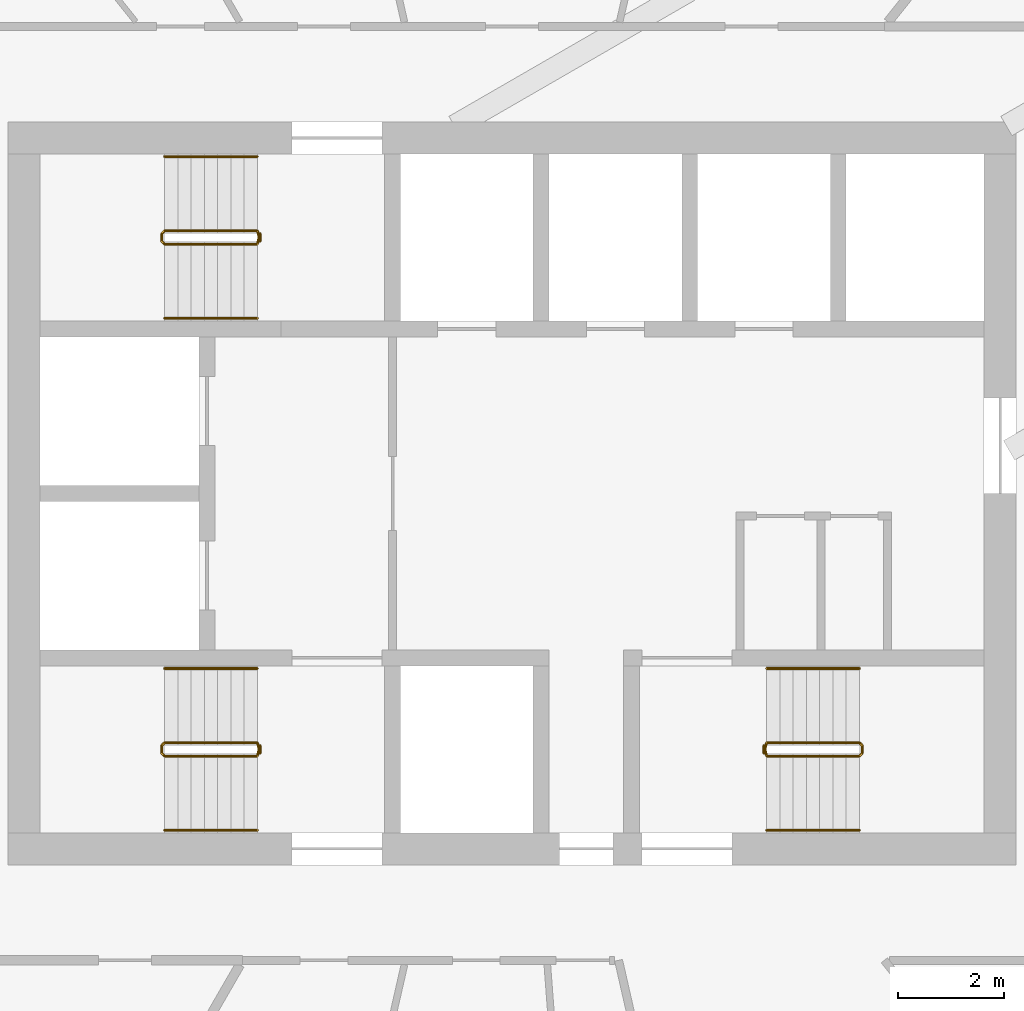
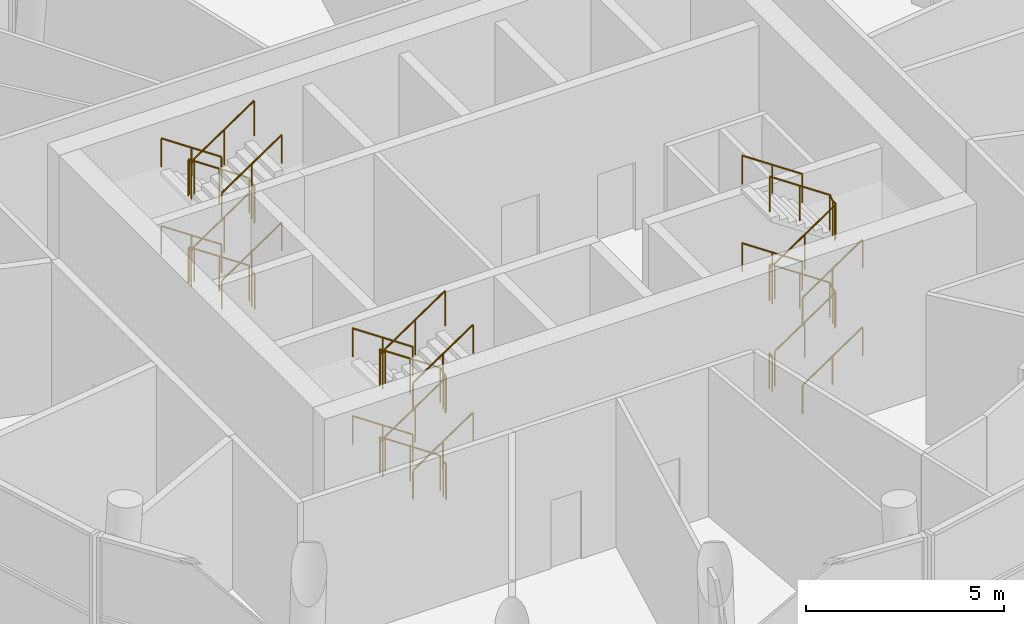
# One storey, part 9 of 10: 18 railings.
"""IFC4 building model written with IfcOpenShell, lengths in metres."""

from ifc_helpers import new_model, si_unit, direction, frame, origin, origin_2d, place, context, subcontext, project, spatial, circle, extrude, material, type_object, element, save


model = new_model("IFC4")

# Units and contexts
model_context = context("Model", 3, precision=1e-05, world=origin(), true_north=direction((0.0, 1.0)))
body_context = subcontext(model_context, "Body", "Model", "MODEL_VIEW")
ifc_project = project(units=[si_unit("LENGTHUNIT", "METRE"), si_unit("AREAUNIT", "SQUARE_METRE"), si_unit("VOLUMEUNIT", "CUBIC_METRE"), si_unit("PLANEANGLEUNIT", "RADIAN"), si_unit("MASSUNIT", "GRAM", prefix="KILO")], contexts=[model_context])

# Site, building, storey
site_placement = place(None, origin())
site = spatial("IfcSite", under=ifc_project, at=site_placement, CompositionType="ELEMENT")
building_placement = place(site_placement, origin())
building = spatial("IfcBuilding", under=site, at=building_placement, Name="Tracery Tower", CompositionType="ELEMENT")
storey_placement = place(building_placement, frame((0.0, 0.0, 341.39990234375)))
storey = spatial("IfcBuildingStorey", under=building, at=storey_placement, Name="L88", CompositionType="ELEMENT", Elevation=341.39990234375)

# Railings
ifc_material_1 = material(Name="Stainless steel and laminated glass", Category="steel")
railing_type_1 = type_object("IfcRailingType", Name="Stair guard 1100", PredefinedType="GUARDRAIL", material=ifc_material_1)
railing_1_placement = place(storey_placement, frame((-4.800048828125, -4.699951171875, 0.1689453125)))
element("IfcRailing", 1, at=railing_1_placement, inside=storey, type_object=railing_type_1, Name="L88 stair ST1 guard 1", PredefinedType="GUARDRAIL", context=body_context, shape_type="SweptSolid", body=[
    extrude(circle(Radius=0.02392578125, at=origin_2d()), frame((0.0, 0.0, 1.076171875), z_axis=(-0.828870122254, 0.0, 0.559441078608), x_axis=(0.0, -1.0, 0.0)), (0.0, 0.0, 1.0), 2.111328125),
    extrude(circle(Radius=0.02392578125, at=origin_2d()), frame((-1.75, 0.0, 2.25732421875), z_axis=(-0.707106781187, -0.707106781187, 0.0), x_axis=(0.707106781187, -0.707106781187, 0.0)), (0.0, 0.0, 1.0), 0.07080078125),
    extrude(circle(Radius=0.02392578125, at=origin_2d()), frame((-1.800048828125, -0.050048828125, 2.25732421875), z_axis=(0.0, -1.0, 0.0), x_axis=(1.0, 0.0, 0.0)), (0.0, 0.0, 1.0), 0.14990234375),
    extrude(circle(Radius=0.02392578125, at=origin_2d()), frame((-1.800048828125, -0.199951171875, 2.25732421875), z_axis=(0.273569069059, -0.273569069059, 0.922127935218), x_axis=(0.707106781187, 0.707106781187, 0.0)), (0.0, 0.0, 1.0), 0.182861328125),
    extrude(circle(Radius=0.02392578125, at=origin_2d()), frame((-1.75, -0.25, 2.42578125), z_axis=(0.828816501605, 0.0, 0.559520514965), x_axis=(0.0, 1.0, 0.0)), (0.0, 0.0, 1.0), 2.111328125),
    extrude(circle(Radius=0.02392578125, at=origin_2d()), frame((0.0, -0.25, 3.607421875), z_axis=(0.242814311512, 0.970072785993, 0.0), x_axis=(-0.970072785993, 0.242814311512, 0.0)), (0.0, 0.0, 1.0), 0.2060546875),
    extrude(circle(Radius=0.02392578125, at=origin_2d()), frame((0.050048828125, -0.050048828125, 3.607421875), z_axis=(0.0, -1.0, 0.0), x_axis=(1.0, 0.0, 0.0)), (0.0, 0.0, 1.0), 0.14990234375),
    extrude(circle(Radius=0.02392578125, at=origin_2d()), frame((0.050048828125, -0.199951171875, 3.607421875), z_axis=(-0.187902113298, 0.750691857518, 0.633367611166), x_axis=(-0.970072785993, -0.242814311512, 0.0)), (0.0, 0.0, 1.0), 0.266357421875),
    extrude(circle(Radius=0.02392578125, at=origin_2d()), frame((0.0, 0.0, 3.77587890625), z_axis=(-0.828870122254, 0.0, 0.559441078608), x_axis=(0.0, -1.0, 0.0)), (0.0, 0.0, 1.0), 2.111328125),
    extrude(circle(Radius=0.02392578125, at=origin_2d()), frame((-1.75, 0.0, 4.95703125), z_axis=(-0.707106781187, -0.707106781187, 0.0), x_axis=(0.707106781187, -0.707106781187, 0.0)), (0.0, 0.0, 1.0), 0.07080078125),
    extrude(circle(Radius=0.02392578125, at=origin_2d()), frame((-1.800048828125, -0.050048828125, 4.95703125), z_axis=(0.0, -1.0, 0.0), x_axis=(1.0, 0.0, 0.0)), (0.0, 0.0, 1.0), 0.14990234375),
    extrude(circle(Radius=0.02392578125, at=origin_2d()), frame((-1.800048828125, -0.199951171875, 4.95703125), z_axis=(0.273569069059, -0.273569069059, 0.922127935218), x_axis=(0.707106781187, 0.707106781187, 0.0)), (0.0, 0.0, 1.0), 0.182861328125),
    extrude(circle(Radius=0.02392578125, at=origin_2d()), frame((-1.75, -0.25, 5.1259765625), z_axis=(0.828816501605, 0.0, 0.559520514965), x_axis=(0.0, 1.0, 0.0)), (0.0, 0.0, 1.0), 2.111328125),
    extrude(circle(Radius=0.02099609375, at=origin_2d()), origin(), (0.0, 0.0, 1.0), 1.052001953125),
    extrude(circle(Radius=0.02099609375, at=origin_2d()), frame((-0.875, 0.0, 0.590576171875)), (0.0, 0.0, 1.0), 1.052001953125),
    extrude(circle(Radius=0.02099609375, at=origin_2d()), frame((-1.75, 0.0, 1.18115234375)), (0.0, 0.0, 1.0), 1.052001953125),
    extrude(circle(Radius=0.02099609375, at=origin_2d()), frame((-1.800048828125, -0.050048828125, 1.18115234375)), (0.0, 0.0, 1.0), 1.052001953125),
    extrude(circle(Radius=0.02099609375, at=origin_2d()), frame((-1.800048828125, -0.199951171875, 1.18115234375)), (0.0, 0.0, 1.0), 1.052001953125),
    extrude(circle(Radius=0.02099609375, at=origin_2d()), frame((-1.75, -0.25, 1.349853515625)), (0.0, 0.0, 1.0), 1.052001953125),
    extrude(circle(Radius=0.02099609375, at=origin_2d()), frame((-0.875, -0.25, 1.9404296875)), (0.0, 0.0, 1.0), 1.052001953125),
    extrude(circle(Radius=0.02099609375, at=origin_2d()), frame((0.0, -0.25, 2.53125)), (0.0, 0.0, 1.0), 1.052001953125),
    extrude(circle(Radius=0.02099609375, at=origin_2d()), frame((0.050048828125, -0.050048828125, 2.53125)), (0.0, 0.0, 1.0), 1.052001953125),
    extrude(circle(Radius=0.02099609375, at=origin_2d()), frame((0.050048828125, -0.199951171875, 2.53125)), (0.0, 0.0, 1.0), 1.052001953125),
    extrude(circle(Radius=0.02099609375, at=origin_2d()), frame((0.0, 0.0, 2.699951171875)), (0.0, 0.0, 1.0), 1.052001953125),
    extrude(circle(Radius=0.02099609375, at=origin_2d()), frame((-0.875, 0.0, 3.29052734375)), (0.0, 0.0, 1.0), 1.052001953125),
    extrude(circle(Radius=0.02099609375, at=origin_2d()), frame((-1.75, 0.0, 3.881103515625)), (0.0, 0.0, 1.0), 1.052001953125),
    extrude(circle(Radius=0.02099609375, at=origin_2d()), frame((-1.800048828125, -0.050048828125, 3.881103515625)), (0.0, 0.0, 1.0), 1.052001953125),
    extrude(circle(Radius=0.02099609375, at=origin_2d()), frame((-1.800048828125, -0.199951171875, 3.881103515625)), (0.0, 0.0, 1.0), 1.052001953125),
    extrude(circle(Radius=0.02099609375, at=origin_2d()), frame((-1.75, -0.25, 4.0498046875)), (0.0, 0.0, 1.0), 1.052001953125),
    extrude(circle(Radius=0.02099609375, at=origin_2d()), frame((-0.875, -0.25, 4.640625)), (0.0, 0.0, 1.0), 1.052001953125),
    extrude(circle(Radius=0.02099609375, at=origin_2d()), frame((0.0, -0.25, 5.231201171875)), (0.0, 0.0, 1.0), 1.052001953125),
])
railing_2_placement = place(storey_placement, frame((-4.75, -4.75, 0.0)))
element("IfcRailing", 2, at=railing_2_placement, inside=storey, type_object=railing_type_1, Name="L88 stair ST1 guard 2", PredefinedType="GUARDRAIL", context=body_context, shape_type="SweptSolid", body=[
    extrude(circle(Radius=0.02392578125, at=origin_2d()), frame((0.0, 0.0, 1.076171875), z_axis=(0.0, -1.0, 0.0), x_axis=(1.0, 0.0, 0.0)), (0.0, 0.0, 1.0), 0.14990234375),
    extrude(circle(Radius=0.02099609375, at=origin_2d()), origin(), (0.0, 0.0, 1.0), 1.052001953125),
    extrude(circle(Radius=0.02099609375, at=origin_2d()), frame((0.0, -0.14990234375, 0.0)), (0.0, 0.0, 1.0), 1.052001953125),
])
railing_3_placement = place(storey_placement, frame((-4.800048828125, 4.949951171875, 0.1689453125)))
element("IfcRailing", 3, at=railing_3_placement, inside=storey, type_object=railing_type_1, Name="L88 stair ST3 guard 1", PredefinedType="GUARDRAIL", context=body_context, shape_type="SweptSolid", body=[
    extrude(circle(Radius=0.02392578125, at=origin_2d()), frame((0.0, 0.0, 1.076171875), z_axis=(-0.828870122254, 0.0, 0.559441078608), x_axis=(0.0, -1.0, 0.0)), (0.0, 0.0, 1.0), 2.111328125),
    extrude(circle(Radius=0.02392578125, at=origin_2d()), frame((-1.75, 0.0, 2.25732421875), z_axis=(-0.707106781187, -0.707106781187, 0.0), x_axis=(0.707106781187, -0.707106781187, 0.0)), (0.0, 0.0, 1.0), 0.07080078125),
    extrude(circle(Radius=0.02392578125, at=origin_2d()), frame((-1.800048828125, -0.050048828125, 2.25732421875), z_axis=(0.0, -1.0, 0.0), x_axis=(1.0, 0.0, 0.0)), (0.0, 0.0, 1.0), 0.14990234375),
    extrude(circle(Radius=0.02392578125, at=origin_2d()), frame((-1.800048828125, -0.199951171875, 2.25732421875), z_axis=(0.273569069059, -0.273569069059, 0.922127935218), x_axis=(0.707106781187, 0.707106781187, 0.0)), (0.0, 0.0, 1.0), 0.182861328125),
    extrude(circle(Radius=0.02392578125, at=origin_2d()), frame((-1.75, -0.25, 2.42578125), z_axis=(0.828816501605, 0.0, 0.559520514965), x_axis=(0.0, 1.0, 0.0)), (0.0, 0.0, 1.0), 2.111328125),
    extrude(circle(Radius=0.02392578125, at=origin_2d()), frame((0.0, -0.25, 3.607421875), z_axis=(0.242814311512, 0.970072785993, 0.0), x_axis=(-0.970072785993, 0.242814311512, 0.0)), (0.0, 0.0, 1.0), 0.2060546875),
    extrude(circle(Radius=0.02392578125, at=origin_2d()), frame((0.050048828125, -0.050048828125, 3.607421875), z_axis=(0.0, -1.0, 0.0), x_axis=(1.0, 0.0, 0.0)), (0.0, 0.0, 1.0), 0.14990234375),
    extrude(circle(Radius=0.02392578125, at=origin_2d()), frame((0.050048828125, -0.199951171875, 3.607421875), z_axis=(-0.187902113298, 0.750691857518, 0.633367611166), x_axis=(-0.970072785993, -0.242814311512, 0.0)), (0.0, 0.0, 1.0), 0.266357421875),
    extrude(circle(Radius=0.02392578125, at=origin_2d()), frame((0.0, 0.0, 3.77587890625), z_axis=(-0.828870122254, 0.0, 0.559441078608), x_axis=(0.0, -1.0, 0.0)), (0.0, 0.0, 1.0), 2.111328125),
    extrude(circle(Radius=0.02392578125, at=origin_2d()), frame((-1.75, 0.0, 4.95703125), z_axis=(-0.707106781187, -0.707106781187, 0.0), x_axis=(0.707106781187, -0.707106781187, 0.0)), (0.0, 0.0, 1.0), 0.07080078125),
    extrude(circle(Radius=0.02392578125, at=origin_2d()), frame((-1.800048828125, -0.050048828125, 4.95703125), z_axis=(0.0, -1.0, 0.0), x_axis=(1.0, 0.0, 0.0)), (0.0, 0.0, 1.0), 0.14990234375),
    extrude(circle(Radius=0.02392578125, at=origin_2d()), frame((-1.800048828125, -0.199951171875, 4.95703125), z_axis=(0.273569069059, -0.273569069059, 0.922127935218), x_axis=(0.707106781187, 0.707106781187, 0.0)), (0.0, 0.0, 1.0), 0.182861328125),
    extrude(circle(Radius=0.02392578125, at=origin_2d()), frame((-1.75, -0.25, 5.1259765625), z_axis=(0.828816501605, 0.0, 0.559520514965), x_axis=(0.0, 1.0, 0.0)), (0.0, 0.0, 1.0), 2.111328125),
    extrude(circle(Radius=0.02099609375, at=origin_2d()), origin(), (0.0, 0.0, 1.0), 1.052001953125),
    extrude(circle(Radius=0.02099609375, at=origin_2d()), frame((-0.875, 0.0, 0.590576171875)), (0.0, 0.0, 1.0), 1.052001953125),
    extrude(circle(Radius=0.02099609375, at=origin_2d()), frame((-1.75, 0.0, 1.18115234375)), (0.0, 0.0, 1.0), 1.052001953125),
    extrude(circle(Radius=0.02099609375, at=origin_2d()), frame((-1.800048828125, -0.050048828125, 1.18115234375)), (0.0, 0.0, 1.0), 1.052001953125),
    extrude(circle(Radius=0.02099609375, at=origin_2d()), frame((-1.800048828125, -0.199951171875, 1.18115234375)), (0.0, 0.0, 1.0), 1.052001953125),
    extrude(circle(Radius=0.02099609375, at=origin_2d()), frame((-1.75, -0.25, 1.349853515625)), (0.0, 0.0, 1.0), 1.052001953125),
    extrude(circle(Radius=0.02099609375, at=origin_2d()), frame((-0.875, -0.25, 1.9404296875)), (0.0, 0.0, 1.0), 1.052001953125),
    extrude(circle(Radius=0.02099609375, at=origin_2d()), frame((0.0, -0.25, 2.53125)), (0.0, 0.0, 1.0), 1.052001953125),
    extrude(circle(Radius=0.02099609375, at=origin_2d()), frame((0.050048828125, -0.050048828125, 2.53125)), (0.0, 0.0, 1.0), 1.052001953125),
    extrude(circle(Radius=0.02099609375, at=origin_2d()), frame((0.050048828125, -0.199951171875, 2.53125)), (0.0, 0.0, 1.0), 1.052001953125),
    extrude(circle(Radius=0.02099609375, at=origin_2d()), frame((0.0, 0.0, 2.699951171875)), (0.0, 0.0, 1.0), 1.052001953125),
    extrude(circle(Radius=0.02099609375, at=origin_2d()), frame((-0.875, 0.0, 3.29052734375)), (0.0, 0.0, 1.0), 1.052001953125),
    extrude(circle(Radius=0.02099609375, at=origin_2d()), frame((-1.75, 0.0, 3.881103515625)), (0.0, 0.0, 1.0), 1.052001953125),
    extrude(circle(Radius=0.02099609375, at=origin_2d()), frame((-1.800048828125, -0.050048828125, 3.881103515625)), (0.0, 0.0, 1.0), 1.052001953125),
    extrude(circle(Radius=0.02099609375, at=origin_2d()), frame((-1.800048828125, -0.199951171875, 3.881103515625)), (0.0, 0.0, 1.0), 1.052001953125),
    extrude(circle(Radius=0.02099609375, at=origin_2d()), frame((-1.75, -0.25, 4.0498046875)), (0.0, 0.0, 1.0), 1.052001953125),
    extrude(circle(Radius=0.02099609375, at=origin_2d()), frame((-0.875, -0.25, 4.640625)), (0.0, 0.0, 1.0), 1.052001953125),
    extrude(circle(Radius=0.02099609375, at=origin_2d()), frame((0.0, -0.25, 5.231201171875)), (0.0, 0.0, 1.0), 1.052001953125),
])
railing_4_placement = place(storey_placement, frame((-4.75, 4.89990234375, 0.0)))
element("IfcRailing", 4, at=railing_4_placement, inside=storey, type_object=railing_type_1, Name="L88 stair ST3 guard 2", PredefinedType="GUARDRAIL", context=body_context, shape_type="SweptSolid", body=[
    extrude(circle(Radius=0.02392578125, at=origin_2d()), frame((0.0, 0.0, 1.076171875), z_axis=(0.0, -1.0, 0.0), x_axis=(1.0, 0.0, 0.0)), (0.0, 0.0, 1.0), 0.14990234375),
    extrude(circle(Radius=0.02099609375, at=origin_2d()), origin(), (0.0, 0.0, 1.0), 1.052001953125),
    extrude(circle(Radius=0.02099609375, at=origin_2d()), frame((0.0, -0.14990234375, 0.0)), (0.0, 0.0, 1.0), 1.052001953125),
])
railing_5_placement = place(storey_placement, frame((4.800048828125, -4.949951171875, 0.1689453125)))
element("IfcRailing", 5, at=railing_5_placement, inside=storey, type_object=railing_type_1, Name="L88 stair ST2 guard 1", PredefinedType="GUARDRAIL", context=body_context, shape_type="SweptSolid", body=[
    extrude(circle(Radius=0.02392578125, at=origin_2d()), frame((0.0, 0.0, 1.076171875), z_axis=(0.828870122254, 0.0, 0.559441078608), x_axis=(0.0, 1.0, 0.0)), (0.0, 0.0, 1.0), 2.111328125),
    extrude(circle(Radius=0.02392578125, at=origin_2d()), frame((1.75, 0.0, 2.25732421875), z_axis=(0.707106781187, 0.707106781187, 0.0), x_axis=(-0.707106781187, 0.707106781187, 0.0)), (0.0, 0.0, 1.0), 0.07080078125),
    extrude(circle(Radius=0.02392578125, at=origin_2d()), frame((1.800048828125, 0.050048828125, 2.25732421875), z_axis=(0.0, 1.0, 0.0), x_axis=(-1.0, 0.0, 0.0)), (0.0, 0.0, 1.0), 0.14990234375),
    extrude(circle(Radius=0.02392578125, at=origin_2d()), frame((1.800048828125, 0.199951171875, 2.25732421875), z_axis=(-0.273569069059, 0.273569069059, 0.922127935218), x_axis=(-0.707106781187, -0.707106781187, 0.0)), (0.0, 0.0, 1.0), 0.182861328125),
    extrude(circle(Radius=0.02392578125, at=origin_2d()), frame((1.75, 0.25, 2.42578125), z_axis=(-0.828816501605, 0.0, 0.559520514965), x_axis=(0.0, -1.0, 0.0)), (0.0, 0.0, 1.0), 2.111328125),
    extrude(circle(Radius=0.02392578125, at=origin_2d()), frame((0.0, 0.25, 3.607421875), z_axis=(-0.242814311512, -0.970072785993, 0.0), x_axis=(0.970072785993, -0.242814311512, 0.0)), (0.0, 0.0, 1.0), 0.2060546875),
    extrude(circle(Radius=0.02392578125, at=origin_2d()), frame((-0.050048828125, 0.050048828125, 3.607421875), z_axis=(0.0, 1.0, 0.0), x_axis=(-1.0, 0.0, 0.0)), (0.0, 0.0, 1.0), 0.14990234375),
    extrude(circle(Radius=0.02392578125, at=origin_2d()), frame((-0.050048828125, 0.199951171875, 3.607421875), z_axis=(0.187902113298, -0.750691857518, 0.633367611166), x_axis=(0.970072785993, 0.242814311512, 0.0)), (0.0, 0.0, 1.0), 0.266357421875),
    extrude(circle(Radius=0.02392578125, at=origin_2d()), frame((0.0, 0.0, 3.77587890625), z_axis=(0.828870122254, 0.0, 0.559441078608), x_axis=(0.0, 1.0, 0.0)), (0.0, 0.0, 1.0), 2.111328125),
    extrude(circle(Radius=0.02392578125, at=origin_2d()), frame((1.75, 0.0, 4.95703125), z_axis=(0.707106781187, 0.707106781187, 0.0), x_axis=(-0.707106781187, 0.707106781187, 0.0)), (0.0, 0.0, 1.0), 0.07080078125),
    extrude(circle(Radius=0.02392578125, at=origin_2d()), frame((1.800048828125, 0.050048828125, 4.95703125), z_axis=(0.0, 1.0, 0.0), x_axis=(-1.0, 0.0, 0.0)), (0.0, 0.0, 1.0), 0.14990234375),
    extrude(circle(Radius=0.02392578125, at=origin_2d()), frame((1.800048828125, 0.199951171875, 4.95703125), z_axis=(-0.273569069059, 0.273569069059, 0.922127935218), x_axis=(-0.707106781187, -0.707106781187, 0.0)), (0.0, 0.0, 1.0), 0.182861328125),
    extrude(circle(Radius=0.02392578125, at=origin_2d()), frame((1.75, 0.25, 5.1259765625), z_axis=(-0.828816501605, 0.0, 0.559520514965), x_axis=(0.0, -1.0, 0.0)), (0.0, 0.0, 1.0), 2.111328125),
    extrude(circle(Radius=0.02099609375, at=origin_2d()), origin(), (0.0, 0.0, 1.0), 1.052001953125),
    extrude(circle(Radius=0.02099609375, at=origin_2d()), frame((0.875, 0.0, 0.590576171875)), (0.0, 0.0, 1.0), 1.052001953125),
    extrude(circle(Radius=0.02099609375, at=origin_2d()), frame((1.75, 0.0, 1.18115234375)), (0.0, 0.0, 1.0), 1.052001953125),
    extrude(circle(Radius=0.02099609375, at=origin_2d()), frame((1.800048828125, 0.050048828125, 1.18115234375)), (0.0, 0.0, 1.0), 1.052001953125),
    extrude(circle(Radius=0.02099609375, at=origin_2d()), frame((1.800048828125, 0.199951171875, 1.18115234375)), (0.0, 0.0, 1.0), 1.052001953125),
    extrude(circle(Radius=0.02099609375, at=origin_2d()), frame((1.75, 0.25, 1.349853515625)), (0.0, 0.0, 1.0), 1.052001953125),
    extrude(circle(Radius=0.02099609375, at=origin_2d()), frame((0.875, 0.25, 1.9404296875)), (0.0, 0.0, 1.0), 1.052001953125),
    extrude(circle(Radius=0.02099609375, at=origin_2d()), frame((0.0, 0.25, 2.53125)), (0.0, 0.0, 1.0), 1.052001953125),
    extrude(circle(Radius=0.02099609375, at=origin_2d()), frame((-0.050048828125, 0.050048828125, 2.53125)), (0.0, 0.0, 1.0), 1.052001953125),
    extrude(circle(Radius=0.02099609375, at=origin_2d()), frame((-0.050048828125, 0.199951171875, 2.53125)), (0.0, 0.0, 1.0), 1.052001953125),
    extrude(circle(Radius=0.02099609375, at=origin_2d()), frame((0.0, 0.0, 2.699951171875)), (0.0, 0.0, 1.0), 1.052001953125),
    extrude(circle(Radius=0.02099609375, at=origin_2d()), frame((0.875, 0.0, 3.29052734375)), (0.0, 0.0, 1.0), 1.052001953125),
    extrude(circle(Radius=0.02099609375, at=origin_2d()), frame((1.75, 0.0, 3.881103515625)), (0.0, 0.0, 1.0), 1.052001953125),
    extrude(circle(Radius=0.02099609375, at=origin_2d()), frame((1.800048828125, 0.050048828125, 3.881103515625)), (0.0, 0.0, 1.0), 1.052001953125),
    extrude(circle(Radius=0.02099609375, at=origin_2d()), frame((1.800048828125, 0.199951171875, 3.881103515625)), (0.0, 0.0, 1.0), 1.052001953125),
    extrude(circle(Radius=0.02099609375, at=origin_2d()), frame((1.75, 0.25, 4.0498046875)), (0.0, 0.0, 1.0), 1.052001953125),
    extrude(circle(Radius=0.02099609375, at=origin_2d()), frame((0.875, 0.25, 4.640625)), (0.0, 0.0, 1.0), 1.052001953125),
    extrude(circle(Radius=0.02099609375, at=origin_2d()), frame((0.0, 0.25, 5.231201171875)), (0.0, 0.0, 1.0), 1.052001953125),
])
railing_6_placement = place(storey_placement, frame((4.75, -4.89990234375, 0.0)))
element("IfcRailing", 6, at=railing_6_placement, inside=storey, type_object=railing_type_1, Name="L88 stair ST2 guard 2", PredefinedType="GUARDRAIL", context=body_context, shape_type="SweptSolid", body=[
    extrude(circle(Radius=0.02392578125, at=origin_2d()), frame((0.0, 0.0, 1.076171875), z_axis=(0.0, 1.0, 0.0), x_axis=(-1.0, 0.0, 0.0)), (0.0, 0.0, 1.0), 0.14990234375),
    extrude(circle(Radius=0.02099609375, at=origin_2d()), origin(), (0.0, 0.0, 1.0), 1.052001953125),
    extrude(circle(Radius=0.02099609375, at=origin_2d()), frame((0.0, 0.14990234375, 0.0)), (0.0, 0.0, 1.0), 1.052001953125),
])
ifc_material_2 = material(Name="Stainless steel and laminated glass", Category="steel")
railing_type_2 = type_object("IfcRailingType", Name="Stair handrail 900", PredefinedType="HANDRAIL", material=ifc_material_2)
railing_7_placement = place(storey_placement, frame((-4.800048828125, -3.300048828125, 0.1689453125)))
element("IfcRailing", 7, at=railing_7_placement, inside=storey, type_object=railing_type_2, Name="L88 stair ST1 handrail 1", PredefinedType="HANDRAIL", context=body_context, shape_type="SweptSolid", body=[
    extrude(circle(Radius=0.02392578125, at=origin_2d()), frame((0.0, 0.0, 0.8759765625), z_axis=(-0.828870122254, 0.0, 0.559441078608), x_axis=(0.0, -1.0, 0.0)), (0.0, 0.0, 1.0), 2.111328125),
    extrude(circle(Radius=0.02099609375, at=origin_2d()), origin(), (0.0, 0.0, 1.0), 0.851806640625),
    extrude(circle(Radius=0.02099609375, at=origin_2d()), frame((-0.875, 0.0, 0.590576171875)), (0.0, 0.0, 1.0), 0.851806640625),
    extrude(circle(Radius=0.02099609375, at=origin_2d()), frame((-1.75, 0.0, 1.18115234375)), (0.0, 0.0, 1.0), 0.851806640625),
])
railing_8_placement = place(storey_placement, frame((-6.550048828125, -6.35009765625, 1.518798828125)))
element("IfcRailing", 8, at=railing_8_placement, inside=storey, type_object=railing_type_2, Name="L88 stair ST1 handrail 2", PredefinedType="HANDRAIL", context=body_context, shape_type="SweptSolid", body=[
    extrude(circle(Radius=0.02392578125, at=origin_2d()), frame((0.0, 0.0, 0.8759765625), z_axis=(0.828816501605, 0.0, 0.559520514965), x_axis=(0.0, 1.0, 0.0)), (0.0, 0.0, 1.0), 2.111328125),
    extrude(circle(Radius=0.02099609375, at=origin_2d()), origin(), (0.0, 0.0, 1.0), 0.851806640625),
    extrude(circle(Radius=0.02099609375, at=origin_2d()), frame((0.875, 0.0, 0.5908203125)), (0.0, 0.0, 1.0), 0.851806640625),
    extrude(circle(Radius=0.02099609375, at=origin_2d()), frame((1.75, 0.0, 1.181396484375)), (0.0, 0.0, 1.0), 0.851806640625),
])
railing_9_placement = place(storey_placement, frame((-4.800048828125, -3.300048828125, 2.868896484375)))
element("IfcRailing", 9, at=railing_9_placement, inside=storey, type_object=railing_type_2, Name="L88 stair ST1 handrail 3", PredefinedType="HANDRAIL", context=body_context, shape_type="SweptSolid", body=[
    extrude(circle(Radius=0.02392578125, at=origin_2d()), frame((0.0, 0.0, 0.8759765625), z_axis=(-0.828870122254, 0.0, 0.559441078608), x_axis=(0.0, -1.0, 0.0)), (0.0, 0.0, 1.0), 2.111328125),
    extrude(circle(Radius=0.02099609375, at=origin_2d()), origin(), (0.0, 0.0, 1.0), 0.851806640625),
    extrude(circle(Radius=0.02099609375, at=origin_2d()), frame((-0.875, 0.0, 0.590576171875)), (0.0, 0.0, 1.0), 0.851806640625),
    extrude(circle(Radius=0.02099609375, at=origin_2d()), frame((-1.75, 0.0, 1.18115234375)), (0.0, 0.0, 1.0), 0.851806640625),
])
railing_10_placement = place(storey_placement, frame((-6.550048828125, -6.35009765625, 4.21875)))
element("IfcRailing", 10, at=railing_10_placement, inside=storey, type_object=railing_type_2, Name="L88 stair ST1 handrail 4", PredefinedType="HANDRAIL", context=body_context, shape_type="SweptSolid", body=[
    extrude(circle(Radius=0.02392578125, at=origin_2d()), frame((0.0, 0.0, 0.8759765625), z_axis=(0.828816501605, 0.0, 0.559520514965), x_axis=(0.0, 1.0, 0.0)), (0.0, 0.0, 1.0), 2.111328125),
    extrude(circle(Radius=0.02099609375, at=origin_2d()), origin(), (0.0, 0.0, 1.0), 0.851806640625),
    extrude(circle(Radius=0.02099609375, at=origin_2d()), frame((0.875, 0.0, 0.5908203125)), (0.0, 0.0, 1.0), 0.851806640625),
    extrude(circle(Radius=0.02099609375, at=origin_2d()), frame((1.75, 0.0, 1.181396484375)), (0.0, 0.0, 1.0), 0.851806640625),
])
railing_11_placement = place(storey_placement, frame((-4.800048828125, 6.35009765625, 0.1689453125)))
element("IfcRailing", 11, at=railing_11_placement, inside=storey, type_object=railing_type_2, Name="L88 stair ST3 handrail 1", PredefinedType="HANDRAIL", context=body_context, shape_type="SweptSolid", body=[
    extrude(circle(Radius=0.02392578125, at=origin_2d()), frame((0.0, 0.0, 0.8759765625), z_axis=(-0.828870122254, 0.0, 0.559441078608), x_axis=(0.0, -1.0, 0.0)), (0.0, 0.0, 1.0), 2.111328125),
    extrude(circle(Radius=0.02099609375, at=origin_2d()), origin(), (0.0, 0.0, 1.0), 0.851806640625),
    extrude(circle(Radius=0.02099609375, at=origin_2d()), frame((-0.875, 0.0, 0.590576171875)), (0.0, 0.0, 1.0), 0.851806640625),
    extrude(circle(Radius=0.02099609375, at=origin_2d()), frame((-1.75, 0.0, 1.18115234375)), (0.0, 0.0, 1.0), 0.851806640625),
])
railing_12_placement = place(storey_placement, frame((-6.550048828125, 3.300048828125, 1.518798828125)))
element("IfcRailing", 12, at=railing_12_placement, inside=storey, type_object=railing_type_2, Name="L88 stair ST3 handrail 2", PredefinedType="HANDRAIL", context=body_context, shape_type="SweptSolid", body=[
    extrude(circle(Radius=0.02392578125, at=origin_2d()), frame((0.0, 0.0, 0.8759765625), z_axis=(0.828816501605, 0.0, 0.559520514965), x_axis=(0.0, 1.0, 0.0)), (0.0, 0.0, 1.0), 2.111328125),
    extrude(circle(Radius=0.02099609375, at=origin_2d()), origin(), (0.0, 0.0, 1.0), 0.851806640625),
    extrude(circle(Radius=0.02099609375, at=origin_2d()), frame((0.875, 0.0, 0.5908203125)), (0.0, 0.0, 1.0), 0.851806640625),
    extrude(circle(Radius=0.02099609375, at=origin_2d()), frame((1.75, 0.0, 1.181396484375)), (0.0, 0.0, 1.0), 0.851806640625),
])
railing_13_placement = place(storey_placement, frame((-4.800048828125, 6.35009765625, 2.868896484375)))
element("IfcRailing", 13, at=railing_13_placement, inside=storey, type_object=railing_type_2, Name="L88 stair ST3 handrail 3", PredefinedType="HANDRAIL", context=body_context, shape_type="SweptSolid", body=[
    extrude(circle(Radius=0.02392578125, at=origin_2d()), frame((0.0, 0.0, 0.8759765625), z_axis=(-0.828870122254, 0.0, 0.559441078608), x_axis=(0.0, -1.0, 0.0)), (0.0, 0.0, 1.0), 2.111328125),
    extrude(circle(Radius=0.02099609375, at=origin_2d()), origin(), (0.0, 0.0, 1.0), 0.851806640625),
    extrude(circle(Radius=0.02099609375, at=origin_2d()), frame((-0.875, 0.0, 0.590576171875)), (0.0, 0.0, 1.0), 0.851806640625),
    extrude(circle(Radius=0.02099609375, at=origin_2d()), frame((-1.75, 0.0, 1.18115234375)), (0.0, 0.0, 1.0), 0.851806640625),
])
railing_14_placement = place(storey_placement, frame((-6.550048828125, 3.300048828125, 4.21875)))
element("IfcRailing", 14, at=railing_14_placement, inside=storey, type_object=railing_type_2, Name="L88 stair ST3 handrail 4", PredefinedType="HANDRAIL", context=body_context, shape_type="SweptSolid", body=[
    extrude(circle(Radius=0.02392578125, at=origin_2d()), frame((0.0, 0.0, 0.8759765625), z_axis=(0.828816501605, 0.0, 0.559520514965), x_axis=(0.0, 1.0, 0.0)), (0.0, 0.0, 1.0), 2.111328125),
    extrude(circle(Radius=0.02099609375, at=origin_2d()), origin(), (0.0, 0.0, 1.0), 0.851806640625),
    extrude(circle(Radius=0.02099609375, at=origin_2d()), frame((0.875, 0.0, 0.5908203125)), (0.0, 0.0, 1.0), 0.851806640625),
    extrude(circle(Radius=0.02099609375, at=origin_2d()), frame((1.75, 0.0, 1.181396484375)), (0.0, 0.0, 1.0), 0.851806640625),
])
railing_15_placement = place(storey_placement, frame((4.800048828125, -6.35009765625, 0.1689453125)))
element("IfcRailing", 15, at=railing_15_placement, inside=storey, type_object=railing_type_2, Name="L88 stair ST2 handrail 1", PredefinedType="HANDRAIL", context=body_context, shape_type="SweptSolid", body=[
    extrude(circle(Radius=0.02392578125, at=origin_2d()), frame((0.0, 0.0, 0.8759765625), z_axis=(0.828870122254, 0.0, 0.559441078608), x_axis=(0.0, 1.0, 0.0)), (0.0, 0.0, 1.0), 2.111328125),
    extrude(circle(Radius=0.02099609375, at=origin_2d()), origin(), (0.0, 0.0, 1.0), 0.851806640625),
    extrude(circle(Radius=0.02099609375, at=origin_2d()), frame((0.875, 0.0, 0.590576171875)), (0.0, 0.0, 1.0), 0.851806640625),
    extrude(circle(Radius=0.02099609375, at=origin_2d()), frame((1.75, 0.0, 1.18115234375)), (0.0, 0.0, 1.0), 0.851806640625),
])
railing_16_placement = place(storey_placement, frame((6.550048828125, -3.300048828125, 1.518798828125)))
element("IfcRailing", 16, at=railing_16_placement, inside=storey, type_object=railing_type_2, Name="L88 stair ST2 handrail 2", PredefinedType="HANDRAIL", context=body_context, shape_type="SweptSolid", body=[
    extrude(circle(Radius=0.02392578125, at=origin_2d()), frame((0.0, 0.0, 0.8759765625), z_axis=(-0.828816501605, 0.0, 0.559520514965), x_axis=(0.0, -1.0, 0.0)), (0.0, 0.0, 1.0), 2.111328125),
    extrude(circle(Radius=0.02099609375, at=origin_2d()), origin(), (0.0, 0.0, 1.0), 0.851806640625),
    extrude(circle(Radius=0.02099609375, at=origin_2d()), frame((-0.875, 0.0, 0.5908203125)), (0.0, 0.0, 1.0), 0.851806640625),
    extrude(circle(Radius=0.02099609375, at=origin_2d()), frame((-1.75, 0.0, 1.181396484375)), (0.0, 0.0, 1.0), 0.851806640625),
])
railing_17_placement = place(storey_placement, frame((4.800048828125, -6.35009765625, 2.868896484375)))
element("IfcRailing", 17, at=railing_17_placement, inside=storey, type_object=railing_type_2, Name="L88 stair ST2 handrail 3", PredefinedType="HANDRAIL", context=body_context, shape_type="SweptSolid", body=[
    extrude(circle(Radius=0.02392578125, at=origin_2d()), frame((0.0, 0.0, 0.8759765625), z_axis=(0.828870122254, 0.0, 0.559441078608), x_axis=(0.0, 1.0, 0.0)), (0.0, 0.0, 1.0), 2.111328125),
    extrude(circle(Radius=0.02099609375, at=origin_2d()), origin(), (0.0, 0.0, 1.0), 0.851806640625),
    extrude(circle(Radius=0.02099609375, at=origin_2d()), frame((0.875, 0.0, 0.590576171875)), (0.0, 0.0, 1.0), 0.851806640625),
    extrude(circle(Radius=0.02099609375, at=origin_2d()), frame((1.75, 0.0, 1.18115234375)), (0.0, 0.0, 1.0), 0.851806640625),
])
railing_18_placement = place(storey_placement, frame((6.550048828125, -3.300048828125, 4.21875)))
element("IfcRailing", 18, at=railing_18_placement, inside=storey, type_object=railing_type_2, Name="L88 stair ST2 handrail 4", PredefinedType="HANDRAIL", context=body_context, shape_type="SweptSolid", body=[
    extrude(circle(Radius=0.02392578125, at=origin_2d()), frame((0.0, 0.0, 0.8759765625), z_axis=(-0.828816501605, 0.0, 0.559520514965), x_axis=(0.0, -1.0, 0.0)), (0.0, 0.0, 1.0), 2.111328125),
    extrude(circle(Radius=0.02099609375, at=origin_2d()), origin(), (0.0, 0.0, 1.0), 0.851806640625),
    extrude(circle(Radius=0.02099609375, at=origin_2d()), frame((-0.875, 0.0, 0.5908203125)), (0.0, 0.0, 1.0), 0.851806640625),
    extrude(circle(Radius=0.02099609375, at=origin_2d()), frame((-1.75, 0.0, 1.181396484375)), (0.0, 0.0, 1.0), 0.851806640625),
])

save(model, "model.ifc")
